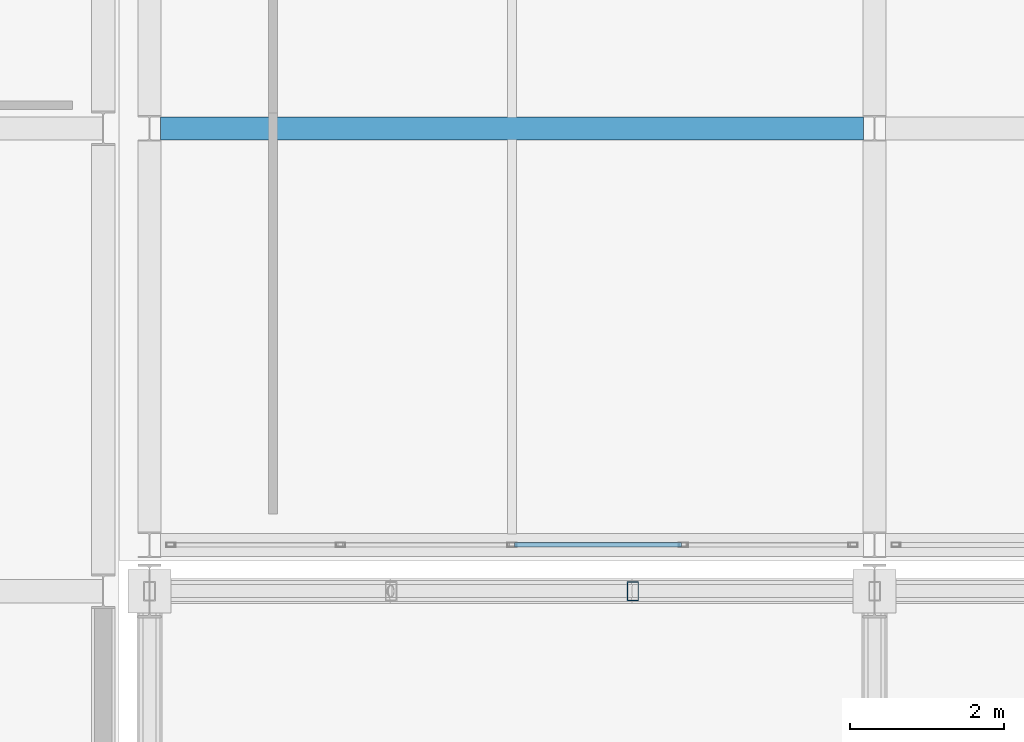
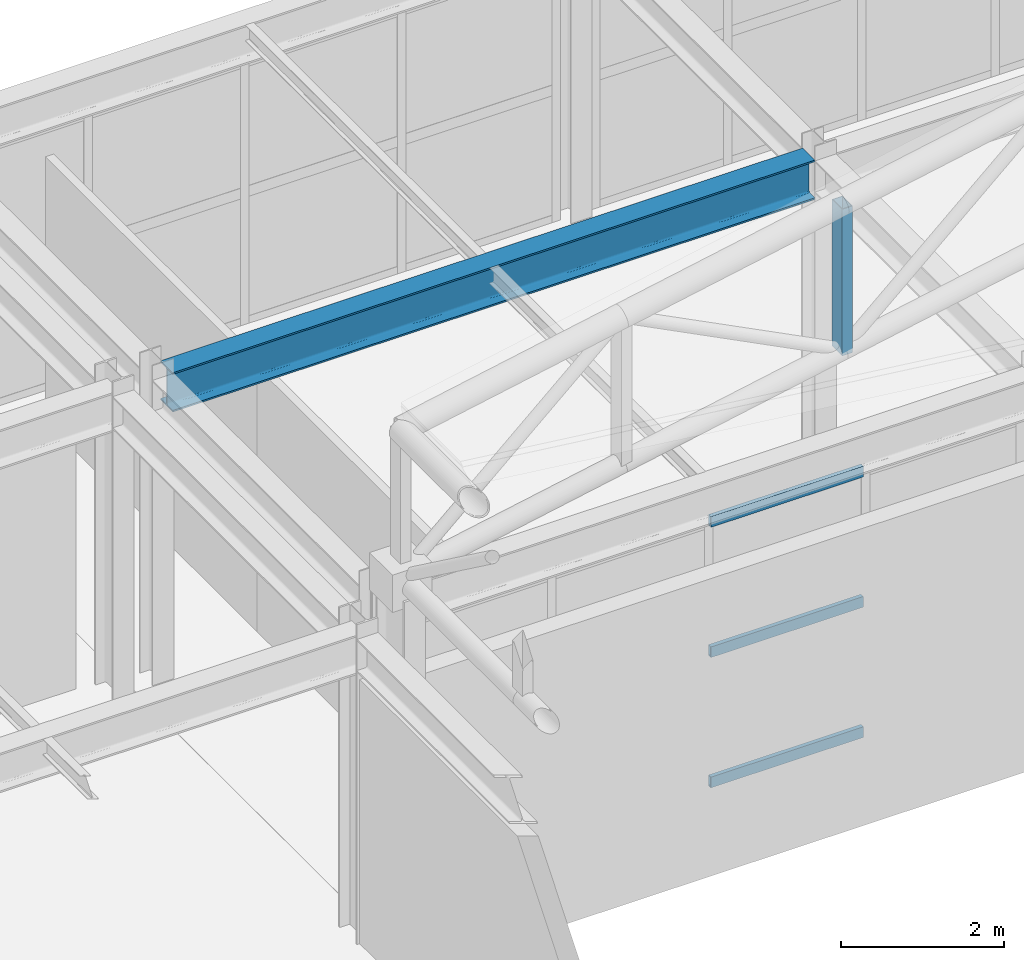
# One storey, part 64 of 112: 4 members, 1 beam, 1 element without a shape of its own.
"""IFC4 building model written with IfcOpenShell, lengths in metres."""

from ifc_helpers import new_model, si_unit, direction, frame, origin, origin_2d, place, context, subcontext, project, spatial, hollow_rectangle, i_section, extrude, material, material_profile, profile_set, type_object, element, aggregate, save


model = new_model("IFC4")

# Units and contexts
model_context = context("Model", 3, precision=1e-05, world=origin(), true_north=direction((0.0, 1.0)))
body_context = subcontext(model_context, "Body", "Model", "MODEL_VIEW")
ifc_project = project(units=[si_unit("LENGTHUNIT", "METRE"), si_unit("AREAUNIT", "SQUARE_METRE"), si_unit("VOLUMEUNIT", "CUBIC_METRE"), si_unit("PLANEANGLEUNIT", "RADIAN"), si_unit("MASSUNIT", "GRAM", prefix="KILO")], contexts=[model_context])

# Site, building, storey
site_placement = place(None, origin())
site = spatial("IfcSite", under=ifc_project, at=site_placement, CompositionType="ELEMENT")
building_placement = place(site_placement, origin())
building = spatial("IfcBuilding", under=site, at=building_placement, Name="Kaldris Quays Convention Centre", CompositionType="ELEMENT")
storey_placement = place(building_placement, frame((0.0, 0.0, 16.800048828125)))
storey = spatial("IfcBuildingStorey", under=building, at=storey_placement, Name="L03", CompositionType="ELEMENT", Elevation=16.800048828125)

# Curtain wall, members
ifc_material_1 = material(Name="Anodized aluminium AW-6060 and triple glazing", Category="aluminium")
curtain_wall_type = type_object("IfcCurtainWallType", Name="UNITISED CURTAIN WALL CW06", PredefinedType="NOTDEFINED", material=ifc_material_1)
curtain_wall_placement = place(storey_placement, origin())
curtain_wall = element("IfcCurtainWall", 1, at=curtain_wall_placement, inside=storey, type_object=curtain_wall_type, Name="L03 Unitised Curtain Wall CW06 174", PredefinedType="NOTDEFINED")
ifc_material_2 = material(Name="Anodized aluminium AW-6060", Category="aluminium")
ifc_material_profile_1 = material_profile(ifc_material_2, hollow_rectangle(XDim=0.06005859375, YDim=0.159912109375, WallThickness=0.00390625, at=origin_2d()), Name="RHS 160x60x4")
ifc_profile_set_1 = profile_set([ifc_material_profile_1], Name="Anodized aluminium AW-6060")
member_type_1 = type_object("IfcMemberType", Name="CURTAIN TRANSOM CWT2", PredefinedType="USERDEFINED", material=ifc_profile_set_1)
member_1_placement = place(storey_placement, frame((169.330078125, 104.60009765625, 0.030029296875), z_axis=(1.0, 0.0, 0.0), x_axis=(0.0, 1.0, 0.0)))
member_1 = element("IfcMember", 2, at=member_1_placement, type_object=member_type_1, Name="CW06 transom 3.1", ObjectType="TRANSOM", PredefinedType="USERDEFINED", context=body_context, shape_type="SweptSolid", body=[
    extrude(hollow_rectangle(XDim=0.06005859375, YDim=0.159912109375, WallThickness=0.00390625, at=origin_2d()), origin(), (0.0, 0.0, 1.0), 2.1650390625),
])
member_2_placement = place(storey_placement, frame((169.330078125, 104.60009765625, 1.98388671875), z_axis=(1.0, 0.0, 0.0), x_axis=(0.0, 1.0, 0.0)))
member_2 = element("IfcMember", 3, at=member_2_placement, type_object=member_type_1, Name="CW06 transom 3.2", ObjectType="TRANSOM", PredefinedType="USERDEFINED", context=body_context, shape_type="SweptSolid", body=[
    extrude(hollow_rectangle(XDim=0.06005859375, YDim=0.159912109375, WallThickness=0.00390625, at=origin_2d()), origin(), (0.0, 0.0, 1.0), 2.1650390625),
])
member_3_placement = place(storey_placement, frame((169.330078125, 104.60009765625, 3.93701171875), z_axis=(1.0, 0.0, 0.0), x_axis=(0.0, 1.0, 0.0)))
member_3 = element("IfcMember", 4, at=member_3_placement, type_object=member_type_1, Name="CW06 transom 3.3", ObjectType="TRANSOM", PredefinedType="USERDEFINED", context=body_context, shape_type="SweptSolid", body=[
    extrude(hollow_rectangle(XDim=0.06005859375, YDim=0.159912109375, WallThickness=0.00390625, at=origin_2d()), origin(), (0.0, 0.0, 1.0), 2.1650390625),
])
aggregate(curtain_wall, [member_1, member_2, member_3])

# Beam
ifc_material_3 = material(Name="Steel S355J2", Category="steel")
ifc_material_profile_2 = material_profile(ifc_material_3, i_section(OverallWidth=0.300048828125, OverallDepth=0.590087890625, WebThickness=0.012939453125, FlangeThickness=0.02490234375, FilletRadius=0.027099609375, at=origin_2d()), Name="HEA 600")
ifc_profile_set_2 = profile_set([ifc_material_profile_2], Name="Steel S355J2")
beam_type = type_object("IfcBeamType", Name="STRUCTURAL BEAM BM08", PredefinedType="BEAM", material=ifc_profile_set_2)
beam_placement = place(storey_placement, frame((164.743896484375, 110.0, 4.286865234375), z_axis=(1.0, 0.0, 0.0), x_axis=(0.0, 1.0, 0.0)))
element("IfcBeam", 5, at=beam_placement, inside=storey, type_object=beam_type, Name="L03 Girder BM08 48", PredefinedType="BEAM", context=body_context, shape_type="SweptSolid", body=[
    extrude(i_section(OverallWidth=0.300048828125, OverallDepth=0.590087890625, WebThickness=0.012939453125, FlangeThickness=0.02490234375, FilletRadius=0.027099609375, at=origin_2d()), origin(), (0.0, 0.0, 1.0), 9.112060546875),
])

# Member
ifc_material_4 = material(Name="Steel S355J2H", Category="steel")
ifc_material_profile_3 = material_profile(ifc_material_4, hollow_rectangle(XDim=0.14990234375, YDim=0.25, WallThickness=0.010009765625, at=origin_2d()), Name="RHS 250x150x10")
ifc_profile_set_3 = profile_set([ifc_material_profile_3], Name="Steel S355J2H")
member_type_2 = type_object("IfcMemberType", Name="STRUCTURAL MEMBER TTV1", PredefinedType="POST", material=ifc_profile_set_3)
member_4_placement = place(storey_placement, frame((170.866943359375, 104.0, 6.33935546875), z_axis=(0.0, 0.0, 1.0), x_axis=(1.0, 0.0, 0.0)))
element("IfcMember", 6, at=member_4_placement, inside=storey, type_object=member_type_2, Name="SF-V2 Space-Frame Post 27", PredefinedType="POST", context=body_context, shape_type="SweptSolid", body=[
    extrude(hollow_rectangle(XDim=0.14990234375, YDim=0.25, WallThickness=0.010009765625, at=origin_2d()), origin(), (0.0, 0.0, 1.0), 2.199951171875),
])

save(model, "model.ifc")
